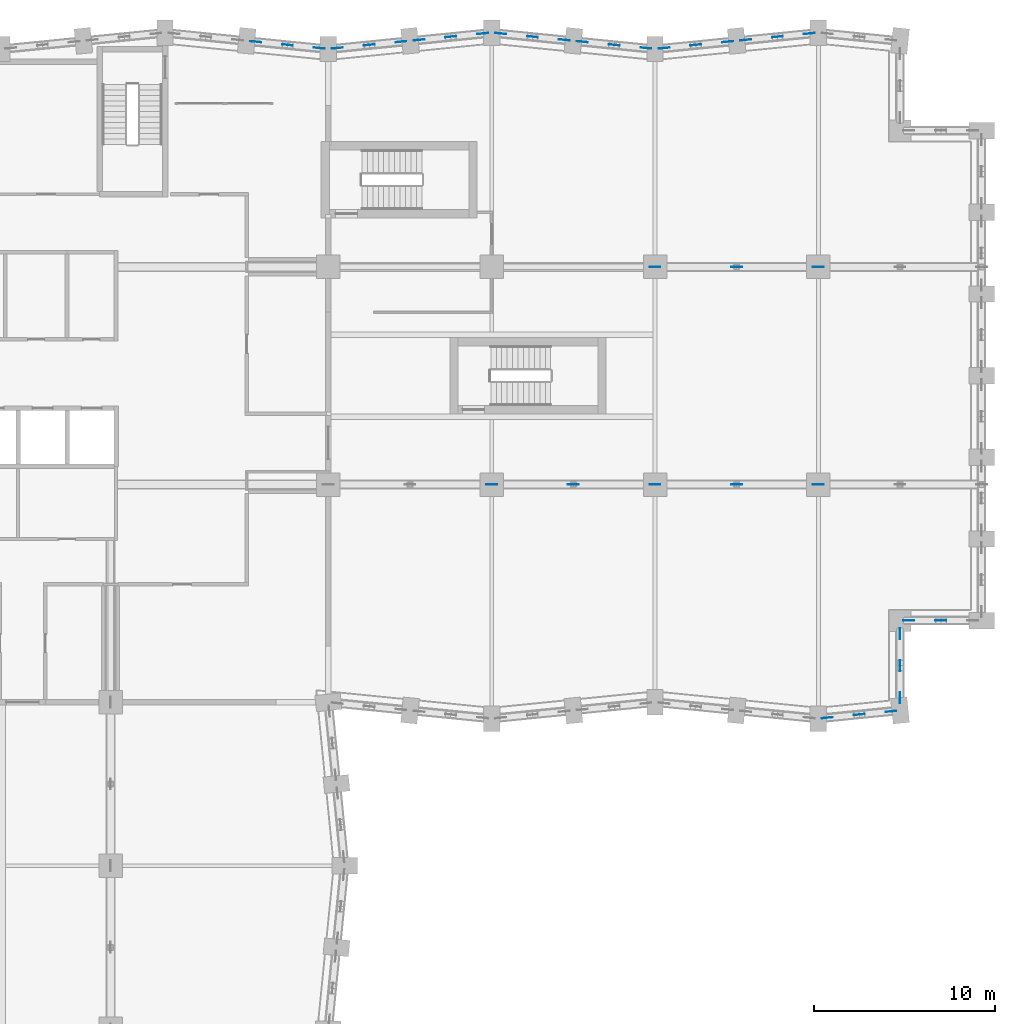
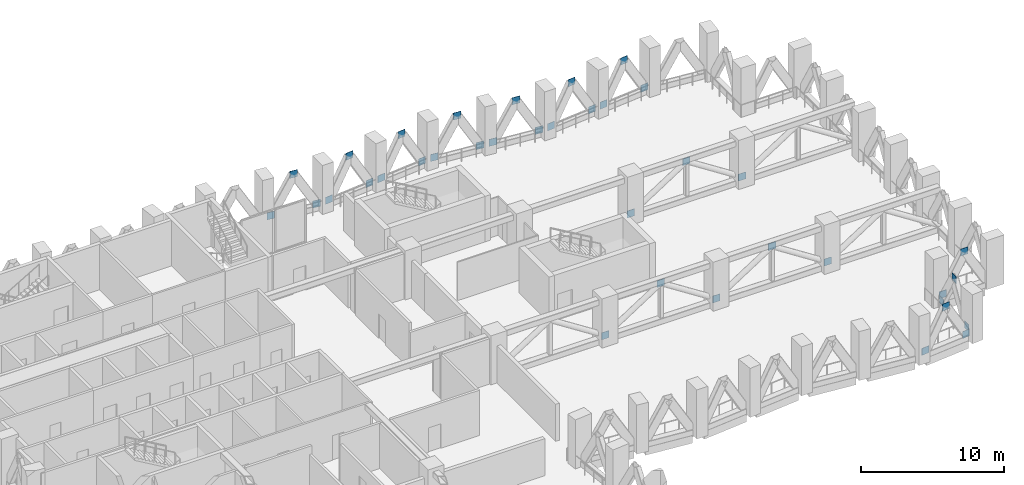
# One storey, part 21 of 25: 37 discrete accessories.
"""IFC4 building model written with IfcOpenShell, lengths in metres."""

import ifcopenshell
import ifcopenshell.guid

model = None  # the IFC model being written
_history = None  # IfcOwnerHistory: only IFC2X3 demands one
_inside = {}  # id of a spatial element -> (the spatial element, [elements in it])
_under = {}  # id of a project, library or spatial element -> (it, [spatial elements below it])
_declared = {}  # id of a project -> (the project, [libraries it declares])
_typed = {}  # id of a type object -> (the type object, [elements of that type])
_made_of = {}  # id of a material, layer set ... -> (it, [elements and type objects made of it])


def new_model(schema):
    """Start an empty IFC model of exactly this schema.

    Asked for "IFC4X3", IfcOpenShell would pick the latest addendum, in which some entities
    have other attributes; the version numbers below select the first issue.
    IFC2X3 requires an IfcOwnerHistory on every rooted entity: one is made here for all.
    """
    global model, _history
    if schema == "IFC4X3":
        model = ifcopenshell.file(schema_version=(4, 3, 0, 0))
    else:
        model = ifcopenshell.file(schema=schema)
    _inside.clear()
    _under.clear()
    _declared.clear()
    _typed.clear()
    _made_of.clear()
    _history = None
    if model.schema == "IFC2X3":
        org = make("IfcOrganization", Name="unknown")
        user = make(
            "IfcPersonAndOrganization",
            ThePerson=make("IfcPerson", FamilyName="unknown"),
            TheOrganization=org,
        )
        app = make(
            "IfcApplication",
            ApplicationDeveloper=org,
            Version="unknown",
            ApplicationFullName="unknown",
            ApplicationIdentifier="unknown",
        )
        _history = make(
            "IfcOwnerHistory",
            OwningUser=user,
            OwningApplication=app,
            ChangeAction="ADDED",
            CreationDate=0,
        )
    return model


def make(cls, **values):
    """One entity of the class cls with the attributes given. An attribute that is None is left unset."""
    return model.create_entity(
        cls, **{name: value for name, value in values.items() if value is not None}
    )


def rooted(cls, **values):
    """An entity with a GlobalId (a new one), such as an element, a storey or a relation."""
    return make(cls, GlobalId=ifcopenshell.guid.new(), OwnerHistory=_history, **values)


def si_unit(unit_type, name, prefix=None):
    """IfcSIUnit, for example si_unit("LENGTHUNIT", "METRE", prefix="MILLI")."""
    return make("IfcSIUnit", UnitType=unit_type, Prefix=prefix, Name=name)


def assignment(units):
    """IfcUnitAssignment: the units of a project."""
    return None if units is None else make("IfcUnitAssignment", Units=units)


def point(xyz):
    """IfcCartesianPoint."""
    return None if xyz is None else make("IfcCartesianPoint", Coordinates=xyz)


def direction(xyz):
    """IfcDirection."""
    return None if xyz is None else make("IfcDirection", DirectionRatios=xyz)


def frame(location, z_axis=None, x_axis=None):
    """IfcAxis2Placement3D, a coordinate frame: its origin and axes. An axis left out is left unset."""
    return make(
        "IfcAxis2Placement3D",
        Location=point(location),
        Axis=direction(z_axis),
        RefDirection=direction(x_axis),
    )


def frame_2d(location, x_axis=None):
    """IfcAxis2Placement2D, a coordinate frame in the plane: its origin and x axis."""
    return make(
        "IfcAxis2Placement2D", Location=point(location), RefDirection=direction(x_axis)
    )


def origin():
    """The frame at (0, 0, 0) with its axes left unset."""
    return frame((0.0, 0.0, 0.0))


def origin_2d():
    """The frame at (0, 0) in the plane with its x axis left unset."""
    return frame_2d((0.0, 0.0))


def place(relative_to, where):
    """IfcLocalPlacement: puts the frame where relative to a parent placement (None: the world)."""
    return make(
        "IfcLocalPlacement", PlacementRelTo=relative_to, RelativePlacement=where
    )


def context(
    kind, dimensions, precision=None, world=None, true_north=None, identifier=None
):
    """IfcGeometricRepresentationContext, for example the 3D "Model" context."""
    return make(
        "IfcGeometricRepresentationContext",
        ContextIdentifier=identifier,
        ContextType=kind,
        CoordinateSpaceDimension=dimensions,
        Precision=precision,
        WorldCoordinateSystem=world,
        TrueNorth=true_north,
    )


def subcontext(parent, identifier, kind, view, scale=None):
    """IfcGeometricRepresentationSubContext, for example "Body" below "Model"."""
    return make(
        "IfcGeometricRepresentationSubContext",
        ContextIdentifier=identifier,
        ContextType=kind,
        ParentContext=parent,
        TargetScale=scale,
        TargetView=view,
    )


def project(units=None, contexts=None):
    """IfcProject with its units and contexts."""
    return rooted(
        "IfcProject",
        Name="project",
        RepresentationContexts=contexts,
        UnitsInContext=assignment(units),
    )


def spatial(cls, under=None, at=None, **own):
    """A site, building, storey or space (cls), placed at a placement, below another one or the project."""
    s = rooted(cls, ObjectPlacement=at, **own)
    if under is not None:
        _under.setdefault(under.id(), (under, []))[1].append(s)
    return s


def profile(cls, at=None, kind="AREA", **sizes):
    """A parametric profile (cls). Its sizes go by their IFC names, for example OverallWidth=200.0."""
    return make(cls, ProfileType=kind, Position=at, **sizes)


def rectangle(**sizes):
    """IfcRectangleProfileDef."""
    return profile("IfcRectangleProfileDef", **sizes)


def extrude(swept, where, along, depth):
    """IfcExtrudedAreaSolid: the profile swept, set in the frame where, extruded along a direction by depth."""
    return make(
        "IfcExtrudedAreaSolid",
        SweptArea=swept,
        Position=where,
        ExtrudedDirection=direction(along),
        Depth=depth,
    )


def shape(context_of_items, identifier, shape_type, items):
    """IfcShapeRepresentation: the items that make up one representation, for example the "Body"."""
    return make(
        "IfcShapeRepresentation",
        ContextOfItems=context_of_items,
        RepresentationIdentifier=identifier,
        RepresentationType=shape_type,
        Items=items,
    )


def material(Name=None, Category=None):
    """IfcMaterial."""
    return make("IfcMaterial", Name=Name, Category=Category)


def layer(
    of_material, thickness, ventilated=None, Name=None, Category=None, Priority=None
):
    """IfcMaterialLayer: one layer of a wall or slab, of a material (None: an air gap)."""
    return make(
        "IfcMaterialLayer",
        Material=of_material,
        LayerThickness=thickness,
        IsVentilated=ventilated,
        Name=Name,
        Category=Category,
        Priority=Priority,
    )


def layer_set(layers, Name=None):
    """IfcMaterialLayerSet."""
    return make("IfcMaterialLayerSet", MaterialLayers=layers, LayerSetName=Name)


def made_of(thing, what):
    """Note that an element or type object is made of a material, layer set ...; save() writes the relation."""
    if what is not None:
        _made_of.setdefault(what.id(), (what, []))[1].append(thing)
    return thing


def type_object(cls, material=None, **own):
    """A type object (cls), such as IfcWallType, which elements share."""
    return made_of(rooted(cls, **own), material)


def element(
    cls,
    number,
    at=None,
    inside=None,
    cuts=None,
    type_object=None,
    material=None,
    context=None,
    identifier="Body",
    shape_type=None,
    held_by="IfcProductDefinitionShape",
    body=None,
    shapes=None,
    **own,
):
    """One element of the class cls, such as IfcWall. Its Tag is "e" and its number.

    at: its placement. inside: the storey or other place that contains it. cuts: it is an
    opening in that element (IfcRelVoidsElement). A single representation is given by context,
    identifier, shape_type and body (its items); several are given by shapes. held_by: the class
    of the entity that holds the representations. save() writes the other relations.
    """
    e = rooted(cls, Tag="e%d" % number, ObjectPlacement=at, **own)
    if body is not None:
        shapes = [shape(context, identifier, shape_type, body)]
    if shapes is not None:
        e.Representation = make(held_by, Representations=shapes)
    if inside is not None:
        _inside.setdefault(inside.id(), (inside, []))[1].append(e)
    if cuts is not None:
        rooted(
            "IfcRelVoidsElement", RelatingBuildingElement=cuts, RelatedOpeningElement=e
        )
    if type_object is not None:
        _typed.setdefault(type_object.id(), (type_object, []))[1].append(e)
    return made_of(e, material)


def aggregate(whole, parts):
    """IfcRelAggregates: a whole, such as a stair, and the parts it consists of."""
    return rooted("IfcRelAggregates", RelatingObject=whole, RelatedObjects=parts)


def save(model, path):
    """Write the relations noted so far, then the file.

    IfcRelAggregates (storeys below a building ...), IfcRelContainedInSpatialStructure (elements
    in a storey), IfcRelDefinesByType, IfcRelAssociatesMaterial and IfcRelDeclares: one each for
    every whole, place, type object, material and project.
    """
    for whole, parts in _under.values():
        aggregate(whole, parts)
    for where, things in _inside.values():
        rooted(
            "IfcRelContainedInSpatialStructure",
            RelatedElements=things,
            RelatingStructure=where,
        )
    for kind, things in _typed.values():
        rooted("IfcRelDefinesByType", RelatedObjects=things, RelatingType=kind)
    for what, things in _made_of.values():
        rooted("IfcRelAssociatesMaterial", RelatedObjects=things, RelatingMaterial=what)
    for by, libraries in _declared.values():
        rooted("IfcRelDeclares", RelatingContext=by, RelatedDefinitions=libraries)
    model.write(path)


model = new_model("IFC4")

# Units and contexts
model_context = context("Model", 3, precision=1e-05, world=origin(), true_north=direction((0.0, 1.0)))
body_context = subcontext(model_context, "Body", "Model", "MODEL_VIEW")
ifc_project = project(units=[si_unit("LENGTHUNIT", "METRE"), si_unit("AREAUNIT", "SQUARE_METRE"), si_unit("VOLUMEUNIT", "CUBIC_METRE"), si_unit("PLANEANGLEUNIT", "RADIAN"), si_unit("MASSUNIT", "GRAM", prefix="KILO")], contexts=[model_context])

# Site, building, storey
site_placement = place(None, origin())
site = spatial("IfcSite", under=ifc_project, at=site_placement, CompositionType="ELEMENT")
building_placement = place(site_placement, origin())
building = spatial("IfcBuilding", under=site, at=building_placement, Name="Brondeck Convention Tower", CompositionType="ELEMENT")
storey_placement = place(building_placement, frame((0.0, 0.0, 84.300048828125)))
storey = spatial("IfcBuildingStorey", under=building, at=storey_placement, Name="L19", CompositionType="ELEMENT", Elevation=84.300048828125)

# Discrete accessories
ifc_material = material(Name="Steel S460", Category="steel")
ifc_layer = layer(ifc_material, 0.02490234375)
ifc_layer_set = layer_set([ifc_layer], Name="Gusset plate 600x600x25 Steel S460")
discrete_accessory_type = type_object("IfcDiscreteAccessoryType", Name="Gusset plate 600x600x25 Steel S460", PredefinedType="BRACKET", material=ifc_layer_set)
for number, where, z_axis, x_axis, name in (
    (1, (63.497802734375, 26.14990234375, 0.199951171875), (0.0, 0.0, 1.0), (0.9950364836, 0.099510784867, 0.0), "Gusset plate GP-191"),
    (2, (65.25, 26.324951171875, 3.25), (0.0, 0.0, 1.0), (0.9950364836, 0.099510784867, 0.0), "Gusset plate GP-192"),
    (3, (67.002197265625, 26.500244140625, 0.199951171875), (0.0, 0.0, 1.0), (0.9950364836, 0.099510784867, 0.0), "Gusset plate GP-193"),
    (4, (67.5, 27.26416015625, 0.199951171875), (0.0, 0.0, 1.0), (0.0, 1.0, 0.0), "Gusset plate GP-194"),
    (5, (67.5, 29.02490234375, 3.25), (0.0, 0.0, 1.0), (0.0, 1.0, 0.0), "Gusset plate GP-195"),
    (6, (67.5, 30.785888671875, 0.199951171875), (0.0, 0.0, 1.0), (0.0, 1.0, 0.0), "Gusset plate GP-196"),
    (7, (67.989013671875, 31.5, 0.199951171875), (0.0, 0.0, 1.0), (1.0, 0.0, 0.0), "Gusset plate GP-197"),
    (8, (69.75, 31.5, 3.25), (0.0, 0.0, 1.0), (1.0, 0.0, 0.0), "Gusset plate GP-198"),
    (9, (62.502197265625, 63.85009765625, 0.199951171875), (0.0, 0.0, 1.0), (0.9950364836, 0.099510784867, 0.0), "Gusset plate GP-227"),
    (10, (60.75, 63.675048828125, 3.25), (0.0, 0.0, 1.0), (0.9950364836, 0.099510784867, 0.0), "Gusset plate GP-228"),
    (11, (58.997802734375, 63.499755859375, 0.199951171875), (0.0, 0.0, 1.0), (0.9950364836, 0.099510784867, 0.0), "Gusset plate GP-229"),
    (12, (58.002197265625, 63.400146484375, 0.199951171875), (0.0, 0.0, 1.0), (0.9950364836, 0.099510784867, 0.0), "Gusset plate GP-230"),
    (13, (56.25, 63.22509765625, 3.25), (0.0, 0.0, 1.0), (0.9950364836, 0.099510784867, 0.0), "Gusset plate GP-231"),
    (14, (54.497802734375, 63.0498046875, 0.199951171875), (0.0, 0.0, 1.0), (0.9950364836, 0.099510784867, 0.0), "Gusset plate GP-232"),
    (15, (53.502197265625, 63.0498046875, 0.199951171875), (0.0, 0.0, 1.0), (-0.9950364836, 0.099510784867, 0.0), "Gusset plate GP-233"),
    (16, (51.75, 63.22509765625, 3.25), (0.0, 0.0, 1.0), (-0.9950364836, 0.099510784867, 0.0), "Gusset plate GP-234"),
    (17, (49.997802734375, 63.400146484375, 0.199951171875), (0.0, 0.0, 1.0), (-0.9950364836, 0.099510784867, 0.0), "Gusset plate GP-235"),
    (18, (49.002197265625, 63.499755859375, 0.199951171875), (0.0, 0.0, 1.0), (-0.9950364836, 0.099510784867, 0.0), "Gusset plate GP-236"),
    (19, (47.25, 63.675048828125, 3.25), (0.0, 0.0, 1.0), (-0.9950364836, 0.099510784867, 0.0), "Gusset plate GP-237"),
    (20, (45.497802734375, 63.85009765625, 0.199951171875), (0.0, 0.0, 1.0), (-0.9950364836, 0.099510784867, 0.0), "Gusset plate GP-238"),
    (21, (44.502197265625, 63.85009765625, 0.199951171875), (0.0, 0.0, 1.0), (0.9950364836, 0.099510784867, 0.0), "Gusset plate GP-239"),
    (22, (42.75, 63.675048828125, 3.25), (0.0, 0.0, 1.0), (0.9950364836, 0.099510784867, 0.0), "Gusset plate GP-240"),
    (23, (40.997802734375, 63.499755859375, 0.199951171875), (0.0, 0.0, 1.0), (0.9950364836, 0.099510784867, 0.0), "Gusset plate GP-241"),
    (24, (40.002197265625, 63.400146484375, 0.199951171875), (0.0, 0.0, 1.0), (0.9950364836, 0.099510784867, 0.0), "Gusset plate GP-242"),
    (25, (38.25, 63.22509765625, 3.25), (0.0, 0.0, 1.0), (0.9950364836, 0.099510784867, 0.0), "Gusset plate GP-243"),
    (26, (36.497802734375, 63.0498046875, 0.199951171875), (0.0, 0.0, 1.0), (0.9950364836, 0.099510784867, 0.0), "Gusset plate GP-244"),
    (27, (35.502197265625, 63.0498046875, 0.199951171875), (0.0, 0.0, 1.0), (-0.9950364836, 0.099510784867, 0.0), "Gusset plate GP-245"),
    (28, (33.75, 63.22509765625, 3.25), (0.0, 0.0, 1.0), (-0.9950364836, 0.099510784867, 0.0), "Gusset plate GP-246"),
    (29, (31.997802734375, 63.400146484375, 0.199951171875), (0.0, 0.0, 1.0), (-0.9950364836, 0.099510784867, 0.0), "Gusset plate GP-247"),
    (30, (45.0, 39.0, 0.199951171875), (0.0, 0.0, 1.0), (1.0, 0.0, 0.0), "Gusset plate GP-316"),
    (31, (49.5, 39.0, 3.099853515625), (0.0, 0.0, 1.0), (1.0, 0.0, 0.0), "Gusset plate GP-317"),
    (32, (54.0, 39.0, 0.199951171875), (0.0, 0.0, 1.0), (1.0, 0.0, 0.0), "Gusset plate GP-318"),
    (33, (58.5, 39.0, 3.099853515625), (0.0, 0.0, 1.0), (1.0, 0.0, 0.0), "Gusset plate GP-319"),
    (34, (63.0, 39.0, 0.199951171875), (0.0, 0.0, 1.0), (1.0, 0.0, 0.0), "Gusset plate GP-320"),
    (35, (54.0, 51.0, 0.199951171875), (0.0, 0.0, 1.0), (1.0, 0.0, 0.0), "Gusset plate GP-323"),
    (36, (58.5, 51.0, 3.099853515625), (0.0, 0.0, 1.0), (1.0, 0.0, 0.0), "Gusset plate GP-324"),
    (37, (63.0, 51.0, 0.199951171875), (0.0, 0.0, 1.0), (1.0, 0.0, 0.0), "Gusset plate GP-325"),
):
    element("IfcDiscreteAccessory", number, at=place(storey_placement, frame(where, z_axis=z_axis, x_axis=x_axis)), inside=storey, type_object=discrete_accessory_type, Name=name, PredefinedType="BRACKET", context=body_context, shape_type="SweptSolid", body=[
        extrude(rectangle(XDim=0.60009765625, YDim=0.02490234375, at=origin_2d()), origin(), (0.0, 0.0, 1.0), 0.60009765625),
    ])

save(model, "model.ifc")
